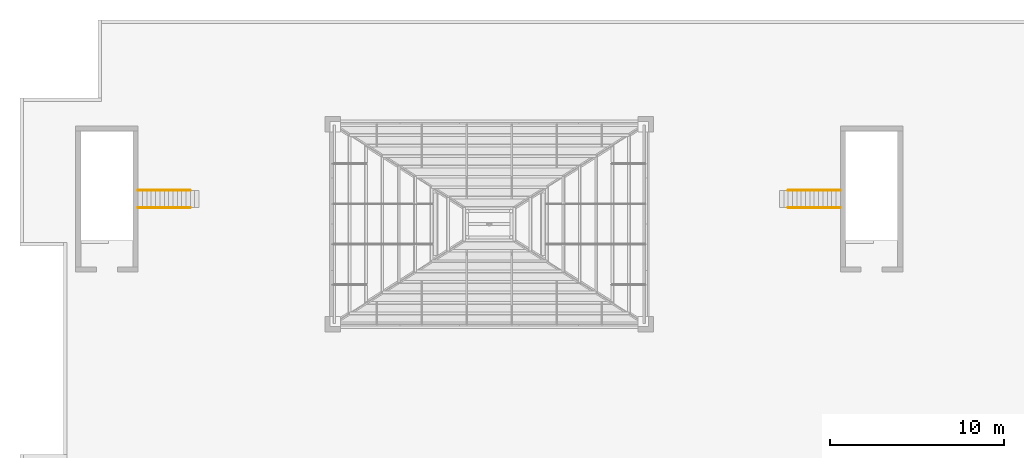
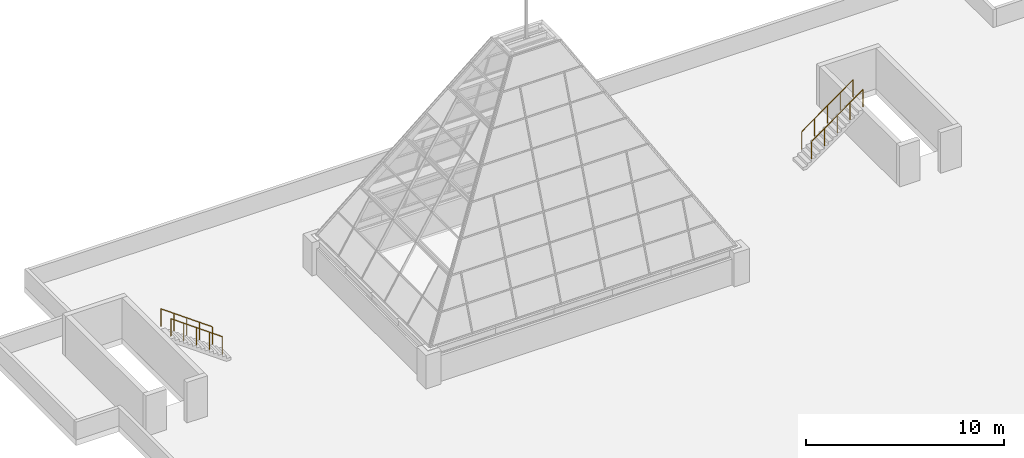
# One storey, part 8 of 8: 4 railings.
"""IFC4 building model written with IfcOpenShell, lengths in metres."""

from ifc_helpers import new_model, si_unit, direction, frame, origin, origin_2d, place, context, subcontext, project, spatial, circle, extrude, material, type_object, element, save


model = new_model("IFC4")

# Units and contexts
model_context = context("Model", 3, precision=1e-05, world=origin(), true_north=direction((0.0, 1.0)))
body_context = subcontext(model_context, "Body", "Model", "MODEL_VIEW")
ifc_project = project(units=[si_unit("LENGTHUNIT", "METRE"), si_unit("AREAUNIT", "SQUARE_METRE"), si_unit("VOLUMEUNIT", "CUBIC_METRE"), si_unit("PLANEANGLEUNIT", "RADIAN"), si_unit("MASSUNIT", "GRAM", prefix="KILO")], contexts=[model_context])

# Site, building, storey
site_placement = place(None, origin())
site = spatial("IfcSite", under=ifc_project, at=site_placement, CompositionType="ELEMENT")
building_placement = place(site_placement, origin())
building = spatial("IfcBuilding", under=site, at=building_placement, Name="Brigalow Station Residences", CompositionType="ELEMENT")
storey_placement = place(building_placement, frame((0.0, 0.0, 244.199951171875)))
storey = spatial("IfcBuildingStorey", under=building, at=storey_placement, Name="Roof", CompositionType="ELEMENT", Elevation=244.199951171875)

# Railings
ifc_material = material(Name="Stainless steel balustrade", Category="steel")
railing_type = type_object("IfcRailingType", Name="STAIR GUARD 1100", PredefinedType="GUARDRAIL", material=ifc_material)
for number, where, name in (
    (1, (18.800048828125, 30.699951171875, 0.5400390625), "GUARD GR-R1A"),
    (2, (18.800048828125, 31.699951171875, 0.5400390625), "GUARD GR-R1B"),
):
    element("IfcRailing", number, at=place(storey_placement, frame(where)), inside=storey, type_object=railing_type, Name=name, PredefinedType="GUARDRAIL", context=body_context, shape_type="SweptSolid", body=[
        extrude(circle(Radius=0.02392578125, at=origin_2d()), frame((0.0, 0.0, 1.076171875), z_axis=(-0.811545615365, 0.0, 0.584289067313), x_axis=(0.0, -1.0, 0.0)), (0.0, 0.0, 1.0), 3.696533203125),
        extrude(circle(Radius=0.02099609375, at=origin_2d()), origin(), (0.0, 0.0, 1.0), 1.052001953125),
        extrude(circle(Radius=0.02099609375, at=origin_2d()), frame((-0.75, 0.0, 0.5400390625)), (0.0, 0.0, 1.0), 1.052001953125),
        extrude(circle(Radius=0.02099609375, at=origin_2d()), frame((-1.5, 0.0, 1.080078125)), (0.0, 0.0, 1.0), 1.052001953125),
        extrude(circle(Radius=0.02099609375, at=origin_2d()), frame((-2.25, 0.0, 1.619873046875)), (0.0, 0.0, 1.0), 1.052001953125),
        extrude(circle(Radius=0.02099609375, at=origin_2d()), frame((-3.0, 0.0, 2.159912109375)), (0.0, 0.0, 1.0), 1.052001953125),
    ])
for number, where, name in (
    (3, (53.199951171875, 30.699951171875, 0.5400390625), "GUARD GR-R3A"),
    (4, (53.199951171875, 31.699951171875, 0.5400390625), "GUARD GR-R3B"),
):
    element("IfcRailing", number, at=place(storey_placement, frame(where)), inside=storey, type_object=railing_type, Name=name, PredefinedType="GUARDRAIL", context=body_context, shape_type="SweptSolid", body=[
        extrude(circle(Radius=0.02392578125, at=origin_2d()), frame((0.0, 0.0, 1.076171875), z_axis=(0.811545615365, 0.0, 0.584289067313), x_axis=(0.0, 1.0, 0.0)), (0.0, 0.0, 1.0), 3.696533203125),
        extrude(circle(Radius=0.02099609375, at=origin_2d()), origin(), (0.0, 0.0, 1.0), 1.052001953125),
        extrude(circle(Radius=0.02099609375, at=origin_2d()), frame((0.75, 0.0, 0.5400390625)), (0.0, 0.0, 1.0), 1.052001953125),
        extrude(circle(Radius=0.02099609375, at=origin_2d()), frame((1.5, 0.0, 1.080078125)), (0.0, 0.0, 1.0), 1.052001953125),
        extrude(circle(Radius=0.02099609375, at=origin_2d()), frame((2.25, 0.0, 1.619873046875)), (0.0, 0.0, 1.0), 1.052001953125),
        extrude(circle(Radius=0.02099609375, at=origin_2d()), frame((3.0, 0.0, 2.159912109375)), (0.0, 0.0, 1.0), 1.052001953125),
    ])

save(model, "model.ifc")
